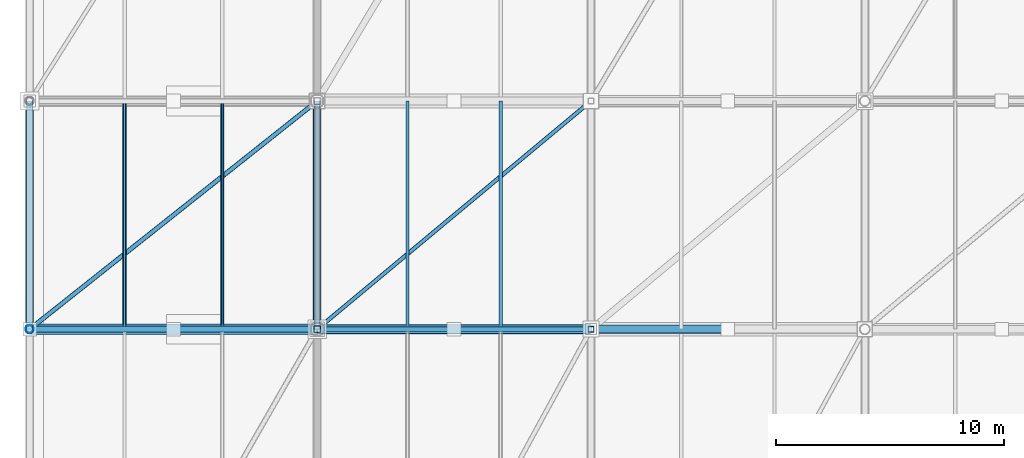
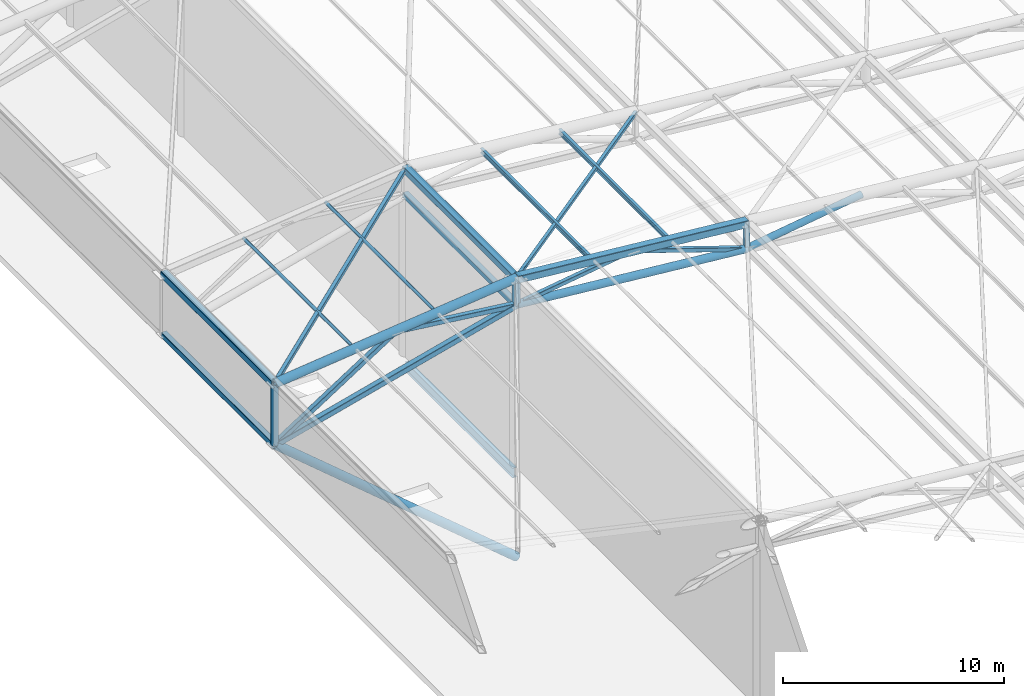
# One storey, part 11 of 44: 23 members, 1 beam.
"""IFC4 building model written with IfcOpenShell, lengths in metres."""

from ifc_helpers import new_model, si_unit, direction, frame, origin, origin_2d, place, context, subcontext, project, spatial, hollow_rectangle, hollow_circle, i_section, extrude, material, material_profile, profile_set, type_object, element, save


model = new_model("IFC4")

# Units and contexts
model_context = context("Model", 3, precision=1e-05, world=origin(), true_north=direction((0.0, 1.0)))
body_context = subcontext(model_context, "Body", "Model", "MODEL_VIEW")
ifc_project = project(units=[si_unit("LENGTHUNIT", "METRE"), si_unit("AREAUNIT", "SQUARE_METRE"), si_unit("VOLUMEUNIT", "CUBIC_METRE"), si_unit("PLANEANGLEUNIT", "RADIAN"), si_unit("MASSUNIT", "GRAM", prefix="KILO")], contexts=[model_context])

# Site, building, storey
site_placement = place(None, origin())
site = spatial("IfcSite", under=ifc_project, at=site_placement, CompositionType="ELEMENT")
building_placement = place(site_placement, origin())
building = spatial("IfcBuilding", under=site, at=building_placement, Name="Brinegate Civic Arena", CompositionType="ELEMENT")
storey_placement = place(building_placement, frame((0.0, 0.0, 29.39990234375)))
storey = spatial("IfcBuildingStorey", under=building, at=storey_placement, Name="RF", CompositionType="ELEMENT", Elevation=29.39990234375)

# Members
ifc_material = material(Name="Steel S355", Category="steel")
ifc_material_profile_1 = material_profile(ifc_material, hollow_circle(Radius=0.083984375, WallThickness=0.008056640625, at=origin_2d()), Name="CHS168X8")
ifc_profile_set_1 = profile_set([ifc_material_profile_1], Name="Steel S355")
member_type_1 = type_object("IfcMemberType", Name="RF-PURLIN-CHS168", PredefinedType="PURLIN", material=ifc_profile_set_1)
for number, where, z_axis, x_axis, name in (
    (1, (51.55810546875, 42.0, 9.64306640625), (0.0, 1.0, 0.0), (-1.0, 0.0, 0.0), "Roof Purlin RFP-037"),
    (2, (55.842041015625, 42.0, 10.119140625), (0.0, 1.0, 0.0), (-1.0, 0.0, 0.0), "Roof Purlin RFP-038"),
):
    element("IfcMember", number, at=place(storey_placement, frame(where, z_axis=z_axis, x_axis=x_axis)), inside=storey, type_object=member_type_1, Name=name, PredefinedType="PURLIN", context=body_context, shape_type="SweptSolid", body=[
        extrude(hollow_circle(Radius=0.083984375, WallThickness=0.008056640625, at=origin_2d()), origin(), (0.0, 0.0, 1.0), 10.0),
    ])
ifc_material_profile_2 = material_profile(ifc_material, i_section(OverallWidth=0.14794921875, OverallDepth=0.26611328125, WebThickness=0.008056640625, FlangeThickness=0.012939453125, FilletRadius=0.011962890625, at=origin_2d()), Name="W250X45")
ifc_profile_set_2 = profile_set([ifc_material_profile_2], Name="Steel S355")
member_type_2 = type_object("IfcMemberType", Name="RF-PURLIN-W250", PredefinedType="PURLIN", material=ifc_profile_set_2)
for number, where, z_axis, x_axis, name in (
    (3, (63.9599609375, 42.0, 10.1611328125), (0.0, 1.0, 0.0), (-1.0, 0.0, 0.0), "Roof Purlin RFP-039"),
    (4, (68.0400390625, 42.0, 9.778076171875), (0.0, 1.0, 0.0), (-1.0, 0.0, 0.0), "Roof Purlin RFP-040"),
):
    element("IfcMember", number, at=place(storey_placement, frame(where, z_axis=z_axis, x_axis=x_axis)), inside=storey, type_object=member_type_2, Name=name, PredefinedType="PURLIN", context=body_context, shape_type="SweptSolid", body=[
        extrude(i_section(OverallWidth=0.14794921875, OverallDepth=0.26611328125, WebThickness=0.008056640625, FlangeThickness=0.012939453125, FilletRadius=0.011962890625, at=origin_2d()), origin(), (0.0, 0.0, 1.0), 10.0),
    ])
ifc_material_profile_3 = material_profile(ifc_material, hollow_circle(Radius=0.177978515625, WallThickness=0.013916015625, at=origin_2d()), Name="CHS356X14")
ifc_profile_set_3 = profile_set([ifc_material_profile_3], Name="Steel S355")
member_type_3 = type_object("IfcMemberType", Name="SF-BRACE-CHS356", PredefinedType="BRACE", material=ifc_profile_set_3)
member_1_placement = place(storey_placement, frame((72.0, 42.0, 7.97509765625), z_axis=(0.989226142737, 0.0, 0.1463954867), x_axis=(0.0, 1.0, 0.0)))
element("IfcMember", 5, at=member_1_placement, inside=storey, type_object=member_type_3, Name="Space Frame Web Brace D1-3-3", PredefinedType="BRACE", context=body_context, shape_type="SweptSolid", body=[
    extrude(hollow_circle(Radius=0.177978515625, WallThickness=0.013916015625, at=origin_2d()), origin(), (0.0, 0.0, 1.0), 6.0654296875),
])
ifc_material_profile_4 = material_profile(ifc_material, hollow_rectangle(XDim=0.179931640625, YDim=0.179931640625, WallThickness=0.010009765625, InnerFilletRadius=0.010009765625, OuterFilletRadius=0.02001953125, at=origin_2d()), Name="SHS180X10")
ifc_profile_set_4 = profile_set([ifc_material_profile_4], Name="Steel S355")
member_type_4 = type_object("IfcMemberType", Name="SF-BRACE-SHS180", PredefinedType="BRACE", material=ifc_profile_set_4)
member_2_placement = place(storey_placement, frame((60.0, 42.0, 10.550048828125), z_axis=(0.766236619907, 0.638530516589, -0.071834683116), x_axis=(-0.640184399664, 0.768221279597, 0.0)))
element("IfcMember", 6, at=member_2_placement, inside=storey, type_object=member_type_4, Name="Roof Plan Diagonal Brace PL-3-2", PredefinedType="BRACE", context=body_context, shape_type="SweptSolid", body=[
    extrude(hollow_rectangle(XDim=0.179931640625, YDim=0.179931640625, WallThickness=0.010009765625, InnerFilletRadius=0.010009765625, OuterFilletRadius=0.02001953125, at=origin_2d()), origin(), (0.0, 0.0, 1.0), 15.660888671875),
])
ifc_material_profile_5 = material_profile(ifc_material, hollow_rectangle(XDim=0.199951171875, YDim=0.199951171875, WallThickness=0.010009765625, InnerFilletRadius=0.010009765625, OuterFilletRadius=0.02001953125, at=origin_2d()), Name="SHS200X10")
ifc_profile_set_5 = profile_set([ifc_material_profile_5], Name="Steel S355")
member_type_5 = type_object("IfcMemberType", Name="SF-BRACE-SHS200", PredefinedType="BRACE", material=ifc_profile_set_5)
member_3_placement = place(storey_placement, frame((47.39990234375, 42.0, 9.150146484375), z_axis=(0.780341879736, 0.619314152179, 0.086697933315), x_axis=(-0.621654903434, 0.783291249176, 0.0)))
element("IfcMember", 7, at=member_3_placement, inside=storey, type_object=member_type_5, Name="Roof Plan Diagonal Brace PL-3-1", PredefinedType="BRACE", context=body_context, shape_type="SweptSolid", body=[
    extrude(hollow_rectangle(XDim=0.199951171875, YDim=0.199951171875, WallThickness=0.010009765625, InnerFilletRadius=0.010009765625, OuterFilletRadius=0.02001953125, at=origin_2d()), origin(), (0.0, 0.0, 1.0), 16.14697265625),
])
ifc_material_profile_6 = material_profile(ifc_material, hollow_rectangle(XDim=0.219970703125, YDim=0.219970703125, WallThickness=0.011962890625, InnerFilletRadius=0.011962890625, OuterFilletRadius=0.02392578125, at=origin_2d()), Name="SHS220X12")
ifc_profile_set_6 = profile_set([ifc_material_profile_6], Name="Steel S355")
member_type_6 = type_object("IfcMemberType", Name="SF-BRACE-SHS220", PredefinedType="BRACE", material=ifc_profile_set_6)
member_4_placement = place(storey_placement, frame((60.0, 42.0, 9.10009765625), z_axis=(0.989226142737, 0.0, 0.1463954867), x_axis=(0.0, 1.0, 0.0)))
element("IfcMember", 8, at=member_4_placement, inside=storey, type_object=member_type_6, Name="Space Frame Web Brace D1-3-2", PredefinedType="BRACE", context=body_context, shape_type="SweptSolid", body=[
    extrude(hollow_rectangle(XDim=0.219970703125, YDim=0.219970703125, WallThickness=0.011962890625, InnerFilletRadius=0.011962890625, OuterFilletRadius=0.02392578125, at=origin_2d()), origin(), (0.0, 0.0, 1.0), 6.0654296875),
])
member_5_placement = place(storey_placement, frame((66.0, 42.0, 9.988037109375), z_axis=(0.948068139281, 0.0, -0.318067293635), x_axis=(0.0, 1.0, 0.0)))
element("IfcMember", 9, at=member_5_placement, inside=storey, type_object=member_type_6, Name="Space Frame Web Brace D2-3-2", PredefinedType="BRACE", context=body_context, shape_type="SweptSolid", body=[
    extrude(hollow_rectangle(XDim=0.219970703125, YDim=0.219970703125, WallThickness=0.011962890625, InnerFilletRadius=0.011962890625, OuterFilletRadius=0.02392578125, at=origin_2d()), origin(), (0.0, 0.0, 1.0), 6.32861328125),
])
ifc_material_profile_7 = material_profile(ifc_material, hollow_rectangle(XDim=0.25, YDim=0.25, WallThickness=0.011962890625, InnerFilletRadius=0.011962890625, OuterFilletRadius=0.02392578125, at=origin_2d()), Name="SHS250X12")
ifc_profile_set_7 = profile_set([ifc_material_profile_7], Name="Steel S355")
member_type_7 = type_object("IfcMemberType", Name="SF-BRACE-SHS250", PredefinedType="BRACE", material=ifc_profile_set_7)
member_6_placement = place(storey_placement, frame((47.39990234375, 42.0, 5.800048828125), z_axis=(0.841177416252, 0.0, 0.540759238837), x_axis=(0.0, 1.0, 0.0)))
element("IfcMember", 10, at=member_6_placement, inside=storey, type_object=member_type_7, Name="Space Frame Web Brace D1-3-1", PredefinedType="BRACE", context=body_context, shape_type="SweptSolid", body=[
    extrude(hollow_rectangle(XDim=0.25, YDim=0.25, WallThickness=0.011962890625, InnerFilletRadius=0.011962890625, OuterFilletRadius=0.02392578125, at=origin_2d()), origin(), (0.0, 0.0, 1.0), 7.489501953125),
])
member_7_placement = place(storey_placement, frame((53.699951171875, 42.0, 9.85009765625), z_axis=(0.992988381742, 0.0, -0.118211986387), x_axis=(0.0, 1.0, 0.0)))
element("IfcMember", 11, at=member_7_placement, inside=storey, type_object=member_type_7, Name="Space Frame Web Brace D2-3-1", PredefinedType="BRACE", context=body_context, shape_type="SweptSolid", body=[
    extrude(hollow_rectangle(XDim=0.25, YDim=0.25, WallThickness=0.011962890625, InnerFilletRadius=0.011962890625, OuterFilletRadius=0.02392578125, at=origin_2d()), origin(), (0.0, 0.0, 1.0), 6.344482421875),
])
ifc_material_profile_8 = material_profile(ifc_material, hollow_circle(Radius=0.202880859375, WallThickness=0.01611328125, at=origin_2d()), Name="CHS406X16")
ifc_profile_set_8 = profile_set([ifc_material_profile_8], Name="Steel S355")
member_type_8 = type_object("IfcMemberType", Name="SF-CHORD-CHS406", PredefinedType="CHORD", material=ifc_profile_set_8)
member_8_placement = place(storey_placement, frame((60.0, 42.0, 9.10009765625), z_axis=(0.995634226059, 0.0, -0.093340708693), x_axis=(0.0, 1.0, 0.0)))
element("IfcMember", 12, at=member_8_placement, inside=storey, type_object=member_type_8, Name="Space Frame Bottom Chord BX-3-2", PredefinedType="CHORD", context=body_context, shape_type="SweptSolid", body=[
    extrude(hollow_circle(Radius=0.202880859375, WallThickness=0.01611328125, at=origin_2d()), origin(), (0.0, 0.0, 1.0), 12.052734375),
])
ifc_material_profile_9 = material_profile(ifc_material, hollow_circle(Radius=0.228515625, WallThickness=0.01611328125, at=origin_2d()), Name="CHS457X16")
ifc_profile_set_9 = profile_set([ifc_material_profile_9], Name="Steel S355")
member_type_9 = type_object("IfcMemberType", Name="SF-CHORD-CHS457", PredefinedType="CHORD", material=ifc_profile_set_9)
member_9_placement = place(storey_placement, frame((47.39990234375, 42.0, 9.150146484375), z_axis=(0.993884674033, 0.0, 0.110423071515), x_axis=(0.0, 1.0, 0.0)))
element("IfcMember", 13, at=member_9_placement, inside=storey, type_object=member_type_9, Name="Space Frame Top Chord TX-3-1", PredefinedType="CHORD", context=body_context, shape_type="SweptSolid", body=[
    extrude(hollow_circle(Radius=0.228515625, WallThickness=0.01611328125, at=origin_2d()), origin(), (0.0, 0.0, 1.0), 12.677734375),
])
ifc_material_profile_10 = material_profile(ifc_material, hollow_rectangle(XDim=0.300048828125, YDim=0.300048828125, WallThickness=0.01611328125, InnerFilletRadius=0.01611328125, OuterFilletRadius=0.031982421875, at=origin_2d()), Name="SHS300X16")
ifc_profile_set_10 = profile_set([ifc_material_profile_10], Name="Steel S355")
member_type_10 = type_object("IfcMemberType", Name="SF-CHORD-SHS300", PredefinedType="CHORD", material=ifc_profile_set_10)
member_10_placement = place(storey_placement, frame((47.39990234375, 42.0, 5.800048828125), z_axis=(0.967371785856, 0.0, 0.25336106238), x_axis=(0.0, 1.0, 0.0)))
element("IfcMember", 14, at=member_10_placement, inside=storey, type_object=member_type_10, Name="Space Frame Bottom Chord BX-3-1", PredefinedType="CHORD", context=body_context, shape_type="SweptSolid", body=[
    extrude(hollow_rectangle(XDim=0.300048828125, YDim=0.300048828125, WallThickness=0.01611328125, InnerFilletRadius=0.01611328125, OuterFilletRadius=0.031982421875, at=origin_2d()), origin(), (0.0, 0.0, 1.0), 13.025146484375),
])
for number, where, z_axis, x_axis, name in (
    (15, (47.39990234375, 42.0, 5.800048828125), (0.0, 1.0, 0.0), (-1.0, 0.0, 0.0), "Space Frame Cross Bottom Chord BY-3-1"),
    (16, (60.0, 42.0, 9.10009765625), (0.0, 1.0, 0.0), (-1.0, 0.0, 0.0), "Space Frame Cross Bottom Chord BY-3-2"),
):
    element("IfcMember", number, at=place(storey_placement, frame(where, z_axis=z_axis, x_axis=x_axis)), inside=storey, type_object=member_type_10, Name=name, PredefinedType="CHORD", context=body_context, shape_type="SweptSolid", body=[
        extrude(hollow_rectangle(XDim=0.300048828125, YDim=0.300048828125, WallThickness=0.01611328125, InnerFilletRadius=0.01611328125, OuterFilletRadius=0.031982421875, at=origin_2d()), origin(), (0.0, 0.0, 1.0), 10.0),
    ])
ifc_material_profile_11 = material_profile(ifc_material, hollow_rectangle(XDim=0.35009765625, YDim=0.35009765625, WallThickness=0.01611328125, InnerFilletRadius=0.01611328125, OuterFilletRadius=0.031982421875, at=origin_2d()), Name="SHS350X16")
ifc_profile_set_11 = profile_set([ifc_material_profile_11], Name="Steel S355")
member_type_11 = type_object("IfcMemberType", Name="SF-CHORD-SHS350", PredefinedType="CHORD", material=ifc_profile_set_11)
for number, where, z_axis, x_axis, name in (
    (17, (47.39990234375, 42.0, 9.150146484375), (0.0, 1.0, 0.0), (-1.0, 0.0, 0.0), "Space Frame Cross Top Chord TY-3-1"),
    (18, (60.0, 42.0, 10.550048828125), (0.0, 1.0, 0.0), (-1.0, 0.0, 0.0), "Space Frame Cross Top Chord TY-3-2"),
):
    element("IfcMember", number, at=place(storey_placement, frame(where, z_axis=z_axis, x_axis=x_axis)), inside=storey, type_object=member_type_11, Name=name, PredefinedType="CHORD", context=body_context, shape_type="SweptSolid", body=[
        extrude(hollow_rectangle(XDim=0.35009765625, YDim=0.35009765625, WallThickness=0.01611328125, InnerFilletRadius=0.01611328125, OuterFilletRadius=0.031982421875, at=origin_2d()), origin(), (0.0, 0.0, 1.0), 10.0),
    ])
ifc_material_profile_12 = material_profile(ifc_material, hollow_rectangle(XDim=0.39990234375, YDim=0.39990234375, WallThickness=0.02001953125, InnerFilletRadius=0.02001953125, OuterFilletRadius=0.0400390625, at=origin_2d()), Name="SHS400X20")
ifc_profile_set_12 = profile_set([ifc_material_profile_12], Name="Steel S355")
member_type_12 = type_object("IfcMemberType", Name="SF-CHORD-SHS400", PredefinedType="CHORD", material=ifc_profile_set_12)
member_11_placement = place(storey_placement, frame((60.0, 42.0, 10.550048828125), z_axis=(0.995634226059, 0.0, -0.093340708693), x_axis=(0.0, 1.0, 0.0)))
element("IfcMember", 19, at=member_11_placement, inside=storey, type_object=member_type_12, Name="Space Frame Top Chord TX-3-2", PredefinedType="CHORD", context=body_context, shape_type="SweptSolid", body=[
    extrude(hollow_rectangle(XDim=0.39990234375, YDim=0.39990234375, WallThickness=0.02001953125, InnerFilletRadius=0.02001953125, OuterFilletRadius=0.0400390625, at=origin_2d()), origin(), (0.0, 0.0, 1.0), 12.052734375),
])
ifc_material_profile_13 = material_profile(ifc_material, hollow_circle(Radius=0.177978515625, WallThickness=0.013916015625, at=origin_2d()), Name="CHS356X14")
ifc_profile_set_13 = profile_set([ifc_material_profile_13], Name="Steel S355")
member_type_13 = type_object("IfcMemberType", Name="SF-STRUT-CHS356", PredefinedType="STRUT", material=ifc_profile_set_13)
member_12_placement = place(storey_placement, frame((47.39990234375, 42.0, 5.800048828125), z_axis=(0.0, 0.0, 1.0), x_axis=(1.0, 0.0, 0.0)))
element("IfcMember", 20, at=member_12_placement, inside=storey, type_object=member_type_13, Name="Space Frame Vertical Post V-3-1", PredefinedType="STRUT", context=body_context, shape_type="SweptSolid", body=[
    extrude(hollow_circle(Radius=0.177978515625, WallThickness=0.013916015625, at=origin_2d()), origin(), (0.0, 0.0, 1.0), 3.35009765625),
])
ifc_material_profile_14 = material_profile(ifc_material, hollow_circle(Radius=0.228515625, WallThickness=0.01611328125, at=origin_2d()), Name="CHS457X16")
ifc_profile_set_14 = profile_set([ifc_material_profile_14], Name="Steel S355")
member_type_14 = type_object("IfcMemberType", Name="SF-STRUT-CHS457", PredefinedType="STRUT", material=ifc_profile_set_14)
member_13_placement = place(storey_placement, frame((60.0, 42.0, -4.7998046875), z_axis=(-0.765232927861, 0.0, 0.643753497945), x_axis=(0.0, -1.0, 0.0)))
element("IfcMember", 21, at=member_13_placement, inside=storey, type_object=member_type_14, Name="Cantilever Back-Prop Strut SFS-CANT-03", PredefinedType="STRUT", context=body_context, shape_type="SweptSolid", body=[
    extrude(hollow_circle(Radius=0.228515625, WallThickness=0.01611328125, at=origin_2d()), origin(), (0.0, 0.0, 1.0), 16.4658203125),
])
ifc_material_profile_15 = material_profile(ifc_material, hollow_rectangle(XDim=0.25, YDim=0.25, WallThickness=0.011962890625, InnerFilletRadius=0.011962890625, OuterFilletRadius=0.02392578125, at=origin_2d()), Name="SHS250X12")
ifc_profile_set_15 = profile_set([ifc_material_profile_15], Name="Steel S355")
member_type_15 = type_object("IfcMemberType", Name="SF-STRUT-SHS250", PredefinedType="STRUT", material=ifc_profile_set_15)
member_14_placement = place(storey_placement, frame((72.0, 42.0, 7.97509765625), z_axis=(0.0, 0.0, 1.0), x_axis=(1.0, 0.0, 0.0)))
element("IfcMember", 22, at=member_14_placement, inside=storey, type_object=member_type_15, Name="Space Frame Vertical Post V-3-3", PredefinedType="STRUT", context=body_context, shape_type="SweptSolid", body=[
    extrude(hollow_rectangle(XDim=0.25, YDim=0.25, WallThickness=0.011962890625, InnerFilletRadius=0.011962890625, OuterFilletRadius=0.02392578125, at=origin_2d()), origin(), (0.0, 0.0, 1.0), 1.449951171875),
])
ifc_material_profile_16 = material_profile(ifc_material, hollow_rectangle(XDim=0.300048828125, YDim=0.300048828125, WallThickness=0.01611328125, InnerFilletRadius=0.01611328125, OuterFilletRadius=0.031982421875, at=origin_2d()), Name="SHS300X16")
ifc_profile_set_16 = profile_set([ifc_material_profile_16], Name="Steel S355")
member_type_16 = type_object("IfcMemberType", Name="SF-STRUT-SHS300", PredefinedType="STRUT", material=ifc_profile_set_16)
member_15_placement = place(storey_placement, frame((60.0, 42.0, 9.10009765625), z_axis=(0.0, 0.0, 1.0), x_axis=(1.0, 0.0, 0.0)))
element("IfcMember", 23, at=member_15_placement, inside=storey, type_object=member_type_16, Name="Space Frame Vertical Post V-3-2", PredefinedType="STRUT", context=body_context, shape_type="SweptSolid", body=[
    extrude(hollow_rectangle(XDim=0.300048828125, YDim=0.300048828125, WallThickness=0.01611328125, InnerFilletRadius=0.01611328125, OuterFilletRadius=0.031982421875, at=origin_2d()), origin(), (0.0, 0.0, 1.0), 1.449951171875),
])

# Beam
ifc_material_profile_17 = material_profile(ifc_material, i_section(OverallWidth=0.2119140625, OverallDepth=0.5439453125, WebThickness=0.012939453125, FlangeThickness=0.02099609375, FilletRadius=0.01611328125, at=origin_2d()), Name="W530X123")
ifc_profile_set_17 = profile_set([ifc_material_profile_17], Name="Steel S355")
beam_type = type_object("IfcBeamType", Name="SPANDREL-W530X123", PredefinedType="SPANDREL", material=ifc_profile_set_17)
beam_placement = place(storey_placement, frame((60.0, 42.14990234375, -0.27197265625), z_axis=(0.0, 1.0, 0.0), x_axis=(-1.0, 0.0, 0.0)))
element("IfcBeam", 24, at=beam_placement, inside=storey, type_object=beam_type, Name="West Drum Crown Ring Beam WDRM-3", PredefinedType="SPANDREL", context=body_context, shape_type="SweptSolid", body=[
    extrude(i_section(OverallWidth=0.2119140625, OverallDepth=0.5439453125, WebThickness=0.012939453125, FlangeThickness=0.02099609375, FilletRadius=0.01611328125, at=origin_2d()), origin(), (0.0, 0.0, 1.0), 9.7001953125),
])

save(model, "model.ifc")
